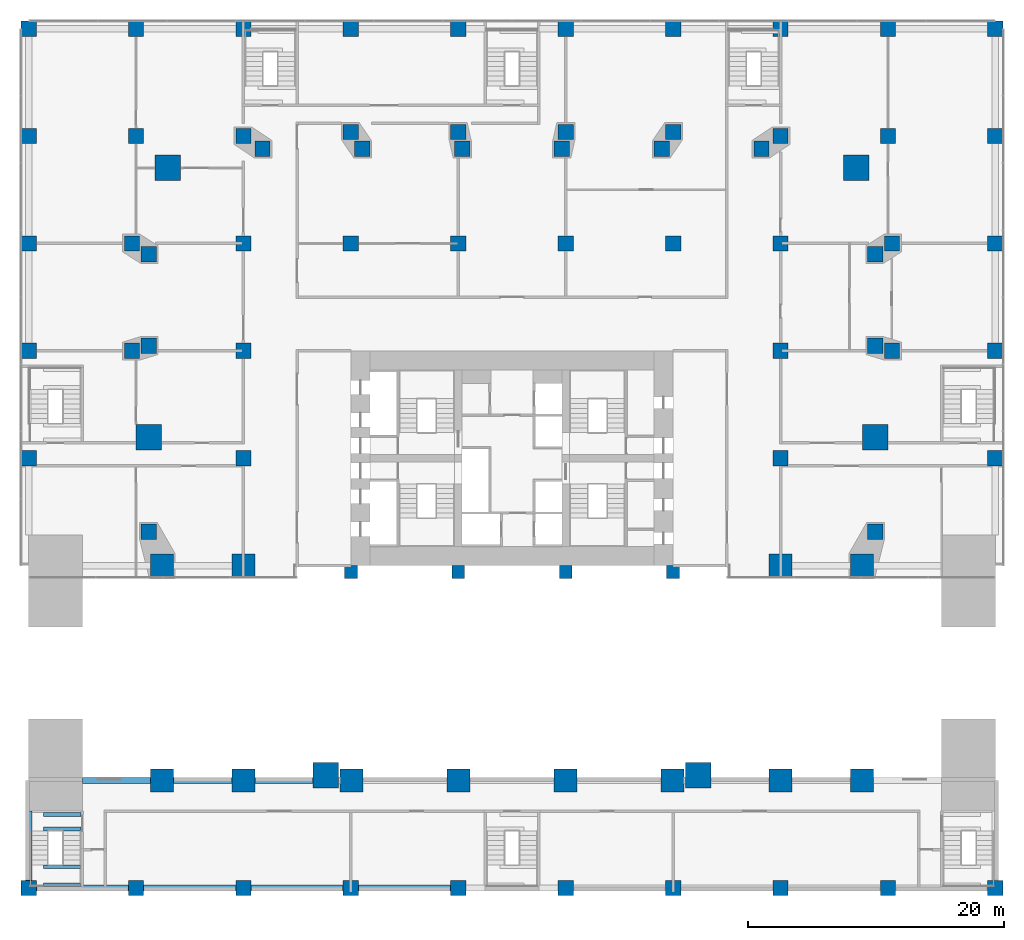
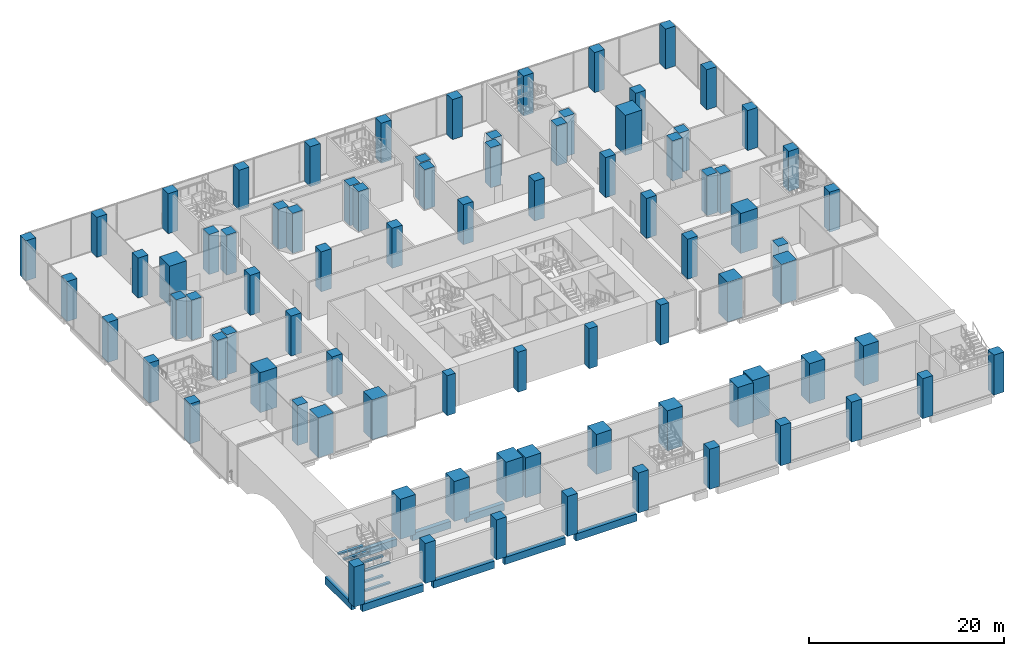
# One storey, part 1 of 28: 84 columns, 14 beams.
"""IFC4 building model written with IfcOpenShell, lengths in metres."""

from ifc_helpers import new_model, si_unit, direction, frame, origin, origin_2d, place, context, subcontext, project, spatial, rectangle, extrude, material, material_profile, profile_set, type_object, element, save


model = new_model("IFC4")

# Units and contexts
model_context = context("Model", 3, precision=1e-05, world=origin(), true_north=direction((0.0, 1.0)))
body_context = subcontext(model_context, "Body", "Model", "MODEL_VIEW")
ifc_project = project(units=[si_unit("LENGTHUNIT", "METRE"), si_unit("AREAUNIT", "SQUARE_METRE"), si_unit("VOLUMEUNIT", "CUBIC_METRE"), si_unit("PLANEANGLEUNIT", "RADIAN"), si_unit("MASSUNIT", "GRAM", prefix="KILO")], contexts=[model_context])

# Site, building, storey
site_placement = place(None, origin())
site = spatial("IfcSite", under=ifc_project, at=site_placement, CompositionType="ELEMENT")
building_placement = place(site_placement, origin())
building = spatial("IfcBuilding", under=site, at=building_placement, Name="Marenta Gate Hotel Tower", CompositionType="ELEMENT")
storey_placement = place(building_placement, frame((0.0, 0.0, 26.0)))
storey = spatial("IfcBuildingStorey", under=building, at=storey_placement, Name="L04", CompositionType="ELEMENT", Elevation=26.0)

# Columns
ifc_material_1 = material(Name="Concrete C80", Category="concrete")
ifc_material_profile_1 = material_profile(ifc_material_1, rectangle(XDim=1.0, YDim=1.0, at=origin_2d()), Name="1000 x 1000")
ifc_profile_set_1 = profile_set([ifc_material_profile_1], Name="Concrete C80")
column_type_1 = type_object("IfcColumnType", Name="Core pier 1000 x 1000 C80", PredefinedType="COLUMN", material=ifc_profile_set_1)
for number, where, z_axis, x_axis, name in (
    (1, (-12.60009765625, -0.5, 0.0), (0.0, 0.0, 1.0), (1.0, 0.0, 0.0), "L04-CP--12.6"),
    (2, (-4.199951171875, -0.5, 0.0), (0.0, 0.0, 1.0), (1.0, 0.0, 0.0), "L04-CP--4.2"),
    (3, (4.199951171875, -0.5, 0.0), (0.0, 0.0, 1.0), (1.0, 0.0, 0.0), "L04-CP-+4.2"),
    (4, (12.60009765625, -0.5, 0.0), (0.0, 0.0, 1.0), (1.0, 0.0, 0.0), "L04-CP-+12.6"),
):
    element("IfcColumn", number, at=place(storey_placement, frame(where, z_axis=z_axis, x_axis=x_axis)), inside=storey, type_object=column_type_1, Name=name, PredefinedType="COLUMN", context=body_context, shape_type="SweptSolid", body=[
        extrude(rectangle(XDim=1.0, YDim=1.0, at=origin_2d()), origin(), (0.0, 0.0, 1.0), 5.0),
    ])
ifc_material_2 = material(Name="Concrete C80", Category="concrete")
ifc_material_profile_2 = material_profile(ifc_material_2, rectangle(XDim=1.800048828125, YDim=1.800048828125, at=origin_2d()), Name="1800 x 1800")
ifc_profile_set_2 = profile_set([ifc_material_profile_2], Name="Concrete C80")
column_type_2 = type_object("IfcColumnType", Name="Gate lane column 1800 x 1800 C80", PredefinedType="COLUMN", material=ifc_profile_set_2)
for number, where, z_axis, x_axis, name in (
    (5, (-21.0, -16.800048828125, 0.0), (0.0, 0.0, 1.0), (1.0, 0.0, 0.0), "L04-PCOL-4/D"),
    (6, (-12.54638671875, -16.800048828125, 0.0), (0.0, 0.0, 1.0), (1.0, 0.0, 0.0), "L04-PCOL-5/D"),
    (7, (-4.199951171875, -16.800048828125, 0.0), (0.0, 0.0, 1.0), (1.0, 0.0, 0.0), "L04-PCOL-6/D"),
    (8, (4.199951171875, -16.800048828125, 0.0), (0.0, 0.0, 1.0), (1.0, 0.0, 0.0), "L04-PCOL-7/D"),
    (9, (12.54638671875, -16.800048828125, 0.0), (0.0, 0.0, 1.0), (1.0, 0.0, 0.0), "L04-PCOL-8/D"),
    (10, (21.0, -16.800048828125, 0.0), (0.0, 0.0, 1.0), (1.0, 0.0, 0.0), "L04-PCOL-9/D"),
    (11, (-21.0, 0.0, 0.0), (0.0, 0.0, 1.0), (1.0, 0.0, 0.0), "L04-PCOL-4/F"),
    (12, (21.0, 0.0, 0.0), (0.0, 0.0, 1.0), (1.0, 0.0, 0.0), "L04-PCOL-9/F"),
    (13, (-27.363037109375, -16.800048828125, 0.0), (0.0, 0.0, 1.0), (1.0, 0.0, 0.0), "L04-PCOL-WS-lane"),
    (14, (-27.363037109375, 0.0, 0.0), (0.0, 0.0, 1.0), (1.0, 0.0, 0.0), "L04-PCOL-WN-lane"),
    (15, (27.363037109375, -16.800048828125, 0.0), (0.0, 0.0, 1.0), (1.0, 0.0, 0.0), "L04-PCOL-ES-lane"),
    (16, (27.363037109375, 0.0, 0.0), (0.0, 0.0, 1.0), (1.0, 0.0, 0.0), "L04-PCOL-EN-lane"),
):
    element("IfcColumn", number, at=place(storey_placement, frame(where, z_axis=z_axis, x_axis=x_axis)), inside=storey, type_object=column_type_2, Name=name, PredefinedType="COLUMN", context=body_context, shape_type="SweptSolid", body=[
        extrude(rectangle(XDim=1.800048828125, YDim=1.800048828125, at=origin_2d()), origin(), (0.0, 0.0, 1.0), 5.0),
    ])
ifc_material_3 = material(Name="Concrete C70", Category="concrete")
ifc_material_profile_3 = material_profile(ifc_material_3, rectangle(XDim=1.199951171875, YDim=1.199951171875, at=origin_2d()), Name="1200 x 1200")
ifc_profile_set_3 = profile_set([ifc_material_profile_3], Name="Concrete C70")
column_type_3 = type_object("IfcColumnType", Name="Podium base column 1200 x 1200 C70", PredefinedType="COLUMN", material=ifc_profile_set_3)
for number, where, z_axis, x_axis, name in (
    (17, (-28.39990234375, 2.649169921875, 0.0), (0.0, 0.0, 1.0), (1.0, 0.0, 0.0), "L04-BC-SW-W-2"),
    (18, (-28.39990234375, 17.203125, 0.0), (0.0, 0.0, 1.0), (1.0, 0.0, 0.0), "L04-BC-W-NW-1"),
    (19, (-28.39990234375, 24.3564453125, 0.0), (0.0, 0.0, 1.0), (1.0, 0.0, 0.0), "L04-BC-W-NW-2"),
    (20, (-19.5068359375, 32.60009765625, 0.0), (0.0, 0.0, 1.0), (1.0, 0.0, 0.0), "L04-BC-NW-NE-1"),
    (21, (-11.7041015625, 32.60009765625, 0.0), (0.0, 0.0, 1.0), (1.0, 0.0, 0.0), "L04-BC-NW-NE-2"),
    (22, (-3.9013671875, 32.60009765625, 0.0), (0.0, 0.0, 1.0), (1.0, 0.0, 0.0), "L04-BC-NW-NE-3"),
    (23, (3.9013671875, 32.60009765625, 0.0), (0.0, 0.0, 1.0), (1.0, 0.0, 0.0), "L04-BC-NW-NE-4"),
    (24, (11.7041015625, 32.60009765625, 0.0), (0.0, 0.0, 1.0), (1.0, 0.0, 0.0), "L04-BC-NW-NE-5"),
    (25, (19.5068359375, 32.60009765625, 0.0), (0.0, 0.0, 1.0), (1.0, 0.0, 0.0), "L04-BC-NW-NE-6"),
    (26, (28.39990234375, 24.3564453125, 0.0), (0.0, 0.0, 1.0), (1.0, 0.0, 0.0), "L04-BC-NE-E-1"),
    (27, (28.39990234375, 17.203125, 0.0), (0.0, 0.0, 1.0), (1.0, 0.0, 0.0), "L04-BC-NE-E-2"),
    (28, (28.39990234375, 2.649169921875, 0.0), (0.0, 0.0, 1.0), (1.0, 0.0, 0.0), "L04-BC-E-SE-1"),
):
    element("IfcColumn", number, at=place(storey_placement, frame(where, z_axis=z_axis, x_axis=x_axis)), inside=storey, type_object=column_type_3, Name=name, PredefinedType="COLUMN", context=body_context, shape_type="SweptSolid", body=[
        extrude(rectangle(XDim=1.199951171875, YDim=1.199951171875, at=origin_2d()), origin(), (0.0, 0.0, 1.0), 5.0),
    ])
ifc_material_4 = material(Name="Concrete C60", Category="concrete")
ifc_material_profile_4 = material_profile(ifc_material_4, rectangle(XDim=1.199951171875, YDim=1.199951171875, at=origin_2d()), Name="1200 x 1200")
ifc_profile_set_4 = profile_set([ifc_material_profile_4], Name="Concrete C60")
column_type_4 = type_object("IfcColumnType", Name="Podium column 1200 x 1200 C60", PredefinedType="COLUMN", material=ifc_profile_set_4)
for number, where, z_axis, x_axis, name in (
    (29, (-37.800048828125, -25.199951171875, 0.0), (0.0, 0.0, 1.0), (1.0, 0.0, 0.0), "L04-PCOL-2/C"),
    (30, (-29.39990234375, -25.199951171875, 0.0), (0.0, 0.0, 1.0), (1.0, 0.0, 0.0), "L04-PCOL-3/C"),
    (31, (-21.0, -25.199951171875, 0.0), (0.0, 0.0, 1.0), (1.0, 0.0, 0.0), "L04-PCOL-4/C"),
    (32, (-12.60009765625, -25.199951171875, 0.0), (0.0, 0.0, 1.0), (1.0, 0.0, 0.0), "L04-PCOL-5/C"),
    (33, (-4.199951171875, -25.199951171875, 0.0), (0.0, 0.0, 1.0), (1.0, 0.0, 0.0), "L04-PCOL-6/C"),
    (34, (4.199951171875, -25.199951171875, 0.0), (0.0, 0.0, 1.0), (1.0, 0.0, 0.0), "L04-PCOL-7/C"),
    (35, (12.60009765625, -25.199951171875, 0.0), (0.0, 0.0, 1.0), (1.0, 0.0, 0.0), "L04-PCOL-8/C"),
    (36, (21.0, -25.199951171875, 0.0), (0.0, 0.0, 1.0), (1.0, 0.0, 0.0), "L04-PCOL-9/C"),
    (37, (29.39990234375, -25.199951171875, 0.0), (0.0, 0.0, 1.0), (1.0, 0.0, 0.0), "L04-PCOL-10/C"),
    (38, (37.800048828125, -25.199951171875, 0.0), (0.0, 0.0, 1.0), (1.0, 0.0, 0.0), "L04-PCOL-11/C"),
    (39, (-37.800048828125, 8.39990234375, 0.0), (0.0, 0.0, 1.0), (1.0, 0.0, 0.0), "L04-PCOL-2/G"),
    (40, (-21.0, 8.39990234375, 0.0), (0.0, 0.0, 1.0), (1.0, 0.0, 0.0), "L04-PCOL-4/G"),
    (41, (21.0, 8.39990234375, 0.0), (0.0, 0.0, 1.0), (1.0, 0.0, 0.0), "L04-PCOL-9/G"),
    (42, (37.800048828125, 8.39990234375, 0.0), (0.0, 0.0, 1.0), (1.0, 0.0, 0.0), "L04-PCOL-11/G"),
    (43, (-37.800048828125, 16.800048828125, 0.0), (0.0, 0.0, 1.0), (1.0, 0.0, 0.0), "L04-PCOL-2/H"),
    (44, (-29.719970703125, 16.800048828125, 0.0), (0.0, 0.0, 1.0), (1.0, 0.0, 0.0), "L04-PCOL-3/H"),
    (45, (-21.0, 16.800048828125, 0.0), (0.0, 0.0, 1.0), (1.0, 0.0, 0.0), "L04-PCOL-4/H"),
    (46, (21.0, 16.800048828125, 0.0), (0.0, 0.0, 1.0), (1.0, 0.0, 0.0), "L04-PCOL-9/H"),
    (47, (29.719970703125, 16.800048828125, 0.0), (0.0, 0.0, 1.0), (1.0, 0.0, 0.0), "L04-PCOL-10/H"),
    (48, (37.800048828125, 16.800048828125, 0.0), (0.0, 0.0, 1.0), (1.0, 0.0, 0.0), "L04-PCOL-11/H"),
    (49, (-37.800048828125, 25.199951171875, 0.0), (0.0, 0.0, 1.0), (1.0, 0.0, 0.0), "L04-PCOL-2/I"),
    (50, (-29.719970703125, 25.199951171875, 0.0), (0.0, 0.0, 1.0), (1.0, 0.0, 0.0), "L04-PCOL-3/I"),
    (51, (-21.0, 25.199951171875, 0.0), (0.0, 0.0, 1.0), (1.0, 0.0, 0.0), "L04-PCOL-4/I"),
    (52, (-12.60009765625, 25.199951171875, 0.0), (0.0, 0.0, 1.0), (1.0, 0.0, 0.0), "L04-PCOL-5/I"),
    (53, (-4.199951171875, 25.199951171875, 0.0), (0.0, 0.0, 1.0), (1.0, 0.0, 0.0), "L04-PCOL-6/I"),
    (54, (4.199951171875, 25.199951171875, 0.0), (0.0, 0.0, 1.0), (1.0, 0.0, 0.0), "L04-PCOL-7/I"),
    (55, (12.60009765625, 25.199951171875, 0.0), (0.0, 0.0, 1.0), (1.0, 0.0, 0.0), "L04-PCOL-8/I"),
    (56, (21.0, 25.199951171875, 0.0), (0.0, 0.0, 1.0), (1.0, 0.0, 0.0), "L04-PCOL-9/I"),
    (57, (29.719970703125, 25.199951171875, 0.0), (0.0, 0.0, 1.0), (1.0, 0.0, 0.0), "L04-PCOL-10/I"),
    (58, (37.800048828125, 25.199951171875, 0.0), (0.0, 0.0, 1.0), (1.0, 0.0, 0.0), "L04-PCOL-11/I"),
    (59, (-37.800048828125, 33.60009765625, 0.0), (0.0, 0.0, 1.0), (1.0, 0.0, 0.0), "L04-PCOL-2/J"),
    (60, (-29.39990234375, 33.60009765625, 0.0), (0.0, 0.0, 1.0), (1.0, 0.0, 0.0), "L04-PCOL-3/J"),
    (61, (-21.0, 33.60009765625, 0.0), (0.0, 0.0, 1.0), (1.0, 0.0, 0.0), "L04-PCOL-4/J"),
    (62, (-12.60009765625, 33.919921875, 0.0), (0.0, 0.0, 1.0), (1.0, 0.0, 0.0), "L04-PCOL-5/J"),
    (63, (-4.199951171875, 33.919921875, 0.0), (0.0, 0.0, 1.0), (1.0, 0.0, 0.0), "L04-PCOL-6/J"),
    (64, (4.199951171875, 33.919921875, 0.0), (0.0, 0.0, 1.0), (1.0, 0.0, 0.0), "L04-PCOL-7/J"),
    (65, (12.60009765625, 33.919921875, 0.0), (0.0, 0.0, 1.0), (1.0, 0.0, 0.0), "L04-PCOL-8/J"),
    (66, (21.0, 33.60009765625, 0.0), (0.0, 0.0, 1.0), (1.0, 0.0, 0.0), "L04-PCOL-9/J"),
    (67, (29.39990234375, 33.60009765625, 0.0), (0.0, 0.0, 1.0), (1.0, 0.0, 0.0), "L04-PCOL-10/J"),
    (68, (37.800048828125, 33.60009765625, 0.0), (0.0, 0.0, 1.0), (1.0, 0.0, 0.0), "L04-PCOL-11/J"),
    (69, (-37.800048828125, 42.0, 0.0), (0.0, 0.0, 1.0), (1.0, 0.0, 0.0), "L04-PCOL-2/K"),
    (70, (-29.39990234375, 42.0, 0.0), (0.0, 0.0, 1.0), (1.0, 0.0, 0.0), "L04-PCOL-3/K"),
    (71, (-21.0, 42.0, 0.0), (0.0, 0.0, 1.0), (1.0, 0.0, 0.0), "L04-PCOL-4/K"),
    (72, (-12.60009765625, 42.0, 0.0), (0.0, 0.0, 1.0), (1.0, 0.0, 0.0), "L04-PCOL-5/K"),
    (73, (-4.199951171875, 42.0, 0.0), (0.0, 0.0, 1.0), (1.0, 0.0, 0.0), "L04-PCOL-6/K"),
    (74, (4.199951171875, 42.0, 0.0), (0.0, 0.0, 1.0), (1.0, 0.0, 0.0), "L04-PCOL-7/K"),
    (75, (12.60009765625, 42.0, 0.0), (0.0, 0.0, 1.0), (1.0, 0.0, 0.0), "L04-PCOL-8/K"),
    (76, (21.0, 42.0, 0.0), (0.0, 0.0, 1.0), (1.0, 0.0, 0.0), "L04-PCOL-9/K"),
    (77, (29.39990234375, 42.0, 0.0), (0.0, 0.0, 1.0), (1.0, 0.0, 0.0), "L04-PCOL-10/K"),
    (78, (37.800048828125, 42.0, 0.0), (0.0, 0.0, 1.0), (1.0, 0.0, 0.0), "L04-PCOL-11/K"),
):
    element("IfcColumn", number, at=place(storey_placement, frame(where, z_axis=z_axis, x_axis=x_axis)), inside=storey, type_object=column_type_4, Name=name, PredefinedType="COLUMN", context=body_context, shape_type="SweptSolid", body=[
        extrude(rectangle(XDim=1.199951171875, YDim=1.199951171875, at=origin_2d()), origin(), (0.0, 0.0, 1.0), 5.0),
    ])
ifc_material_5 = material(Name="Concrete C80", Category="concrete")
ifc_material_profile_5 = material_profile(ifc_material_5, rectangle(XDim=2.0, YDim=2.0, at=origin_2d()), Name="2000 x 2000")
ifc_profile_set_5 = profile_set([ifc_material_profile_5], Name="Concrete C80")
column_type_5 = type_object("IfcColumnType", Name="Podium column under mega column 2000 x 2000 C80", PredefinedType="COLUMN", material=ifc_profile_set_5)
for number, where, z_axis, x_axis, name in (
    (79, (28.39990234375, 10.050048828125, 0.0), (0.0, 0.0, 1.0), (1.0, 0.0, 0.0), "L04-PCOL-E-mega"),
    (80, (-28.39990234375, 10.050048828125, 0.0), (0.0, 0.0, 1.0), (1.0, 0.0, 0.0), "L04-PCOL-W-mega"),
    (81, (26.935546875, 31.135498046875, 0.0), (0.0, 0.0, 1.0), (1.0, 0.0, 0.0), "L04-PCOL-NE-mega"),
    (82, (-26.935546875, 31.135498046875, 0.0), (0.0, 0.0, 1.0), (1.0, 0.0, 0.0), "L04-PCOL-NW-mega"),
    (83, (-14.56640625, -16.374755859375, 0.0), (0.0, 0.0, 1.0), (1.0, 0.0, 0.0), "L04-PCOL-SKW-mega"),
    (84, (14.56640625, -16.374755859375, 0.0), (0.0, 0.0, 1.0), (1.0, 0.0, 0.0), "L04-PCOL-SKE-mega"),
):
    element("IfcColumn", number, at=place(storey_placement, frame(where, z_axis=z_axis, x_axis=x_axis)), inside=storey, type_object=column_type_5, Name=name, PredefinedType="COLUMN", context=body_context, shape_type="SweptSolid", body=[
        extrude(rectangle(XDim=2.0, YDim=2.0, at=origin_2d()), origin(), (0.0, 0.0, 1.0), 5.0),
    ])

# Beams
ifc_material_6 = material(Name="Concrete C60", Category="concrete")
ifc_material_profile_6 = material_profile(ifc_material_6, rectangle(XDim=0.5, YDim=0.89990234375, at=origin_2d()), Name="500 x 900")
ifc_profile_set_6 = profile_set([ifc_material_profile_6], Name="Concrete C60")
beam_type_1 = type_object("IfcBeamType", Name="Podium edge beam 500 x 900 C60", PredefinedType="BEAM", material=ifc_profile_set_6)
for number, where, z_axis, x_axis, name in (
    (85, (-37.199951171875, -25.199951171875, -0.77001953125), (1.0, 0.0, 0.0), (0.0, 1.0, 0.0), "L04-PBM-130"),
    (86, (-28.800048828125, -25.199951171875, -0.77001953125), (1.0, 0.0, 0.0), (0.0, 1.0, 0.0), "L04-PBM-131"),
    (87, (-20.39990234375, -25.199951171875, -0.77001953125), (1.0, 0.0, 0.0), (0.0, 1.0, 0.0), "L04-PBM-132"),
    (88, (-12.0, -25.199951171875, -0.77001953125), (1.0, 0.0, 0.0), (0.0, 1.0, 0.0), "L04-PBM-133"),
):
    element("IfcBeam", number, at=place(storey_placement, frame(where, z_axis=z_axis, x_axis=x_axis)), inside=storey, type_object=beam_type_1, Name=name, PredefinedType="BEAM", context=body_context, shape_type="SweptSolid", body=[
        extrude(rectangle(XDim=0.5, YDim=0.89990234375, at=origin_2d()), origin(), (0.0, 0.0, 1.0), 7.199951171875),
    ])
beam_1_placement = place(storey_placement, frame((-15.56640625, -16.800048828125, -0.77001953125), z_axis=(-1.0, 0.0, 0.0), x_axis=(0.0, -1.0, 0.0)))
element("IfcBeam", 89, at=beam_1_placement, inside=storey, type_object=beam_type_1, Name="L04-PBM-149", PredefinedType="BEAM", context=body_context, shape_type="SweptSolid", body=[
    extrude(rectangle(XDim=0.5, YDim=0.89990234375, at=origin_2d()), origin(), (0.0, 0.0, 1.0), 4.53369140625),
])
beam_2_placement = place(storey_placement, frame((-21.89990234375, -16.800048828125, -0.77001953125), z_axis=(-1.0, 0.0, 0.0), x_axis=(0.0, -1.0, 0.0)))
element("IfcBeam", 90, at=beam_2_placement, inside=storey, type_object=beam_type_1, Name="L04-PBM-150", PredefinedType="BEAM", context=body_context, shape_type="SweptSolid", body=[
    extrude(rectangle(XDim=0.5, YDim=0.89990234375, at=origin_2d()), origin(), (0.0, 0.0, 1.0), 4.56298828125),
])
beam_3_placement = place(storey_placement, frame((-28.262939453125, -16.800048828125, -0.77001953125), z_axis=(-1.0, 0.0, 0.0), x_axis=(0.0, -1.0, 0.0)))
element("IfcBeam", 91, at=beam_3_placement, inside=storey, type_object=beam_type_1, Name="L04-PBM-151", PredefinedType="BEAM", context=body_context, shape_type="SweptSolid", body=[
    extrude(rectangle(XDim=0.5, YDim=0.89990234375, at=origin_2d()), origin(), (0.0, 0.0, 1.0), 5.337158203125),
])
beam_4_placement = place(storey_placement, frame((-37.800048828125, -19.199951171875, -0.77001953125), z_axis=(0.0, -1.0, 0.0), x_axis=(1.0, 0.0, 0.0)))
element("IfcBeam", 92, at=beam_4_placement, inside=storey, type_object=beam_type_1, Name="L04-PBM-152", PredefinedType="BEAM", context=body_context, shape_type="SweptSolid", body=[
    extrude(rectangle(XDim=0.5, YDim=0.89990234375, at=origin_2d()), origin(), (0.0, 0.0, 1.0), 5.400146484375),
])
ifc_material_7 = material(Name="Concrete C40", Category="concrete")
ifc_material_profile_7 = material_profile(ifc_material_7, rectangle(XDim=0.300048828125, YDim=0.199951171875, at=origin_2d()), Name="300 x 200")
ifc_profile_set_7 = profile_set([ifc_material_profile_7], Name="Concrete C40")
beam_type_2 = type_object("IfcBeamType", Name="Stair landing trimmer 300 x 200 C40", PredefinedType="BEAM", material=ifc_profile_set_7)
for number, where, z_axis, x_axis, name in (
    (93, (-36.64990234375, -24.949951171875, 0.949951171875), (1.0, 0.0, 0.0), (0.0, 1.0, 0.0), "L04-PX1-LT-1"),
    (94, (-36.64990234375, -23.5400390625, 0.949951171875), (1.0, 0.0, 0.0), (0.0, 1.0, 0.0), "L04-PX1-LT-2"),
    (95, (-36.64990234375, -20.580078125, 2.199951171875), (1.0, 0.0, 0.0), (0.0, 1.0, 0.0), "L04-PX1-LT-3"),
    (96, (-36.64990234375, -19.449951171875, 2.199951171875), (1.0, 0.0, 0.0), (0.0, 1.0, 0.0), "L04-PX1-LT-4"),
    (97, (-36.64990234375, -24.949951171875, 3.449951171875), (1.0, 0.0, 0.0), (0.0, 1.0, 0.0), "L04-PX1-LT-5"),
    (98, (-36.64990234375, -23.5400390625, 3.449951171875), (1.0, 0.0, 0.0), (0.0, 1.0, 0.0), "L04-PX1-LT-6"),
):
    element("IfcBeam", number, at=place(storey_placement, frame(where, z_axis=z_axis, x_axis=x_axis)), inside=storey, type_object=beam_type_2, Name=name, PredefinedType="BEAM", context=body_context, shape_type="SweptSolid", body=[
        extrude(rectangle(XDim=0.300048828125, YDim=0.199951171875, at=origin_2d()), origin(), (0.0, 0.0, 1.0), 2.949951171875),
    ])

save(model, "model.ifc")
